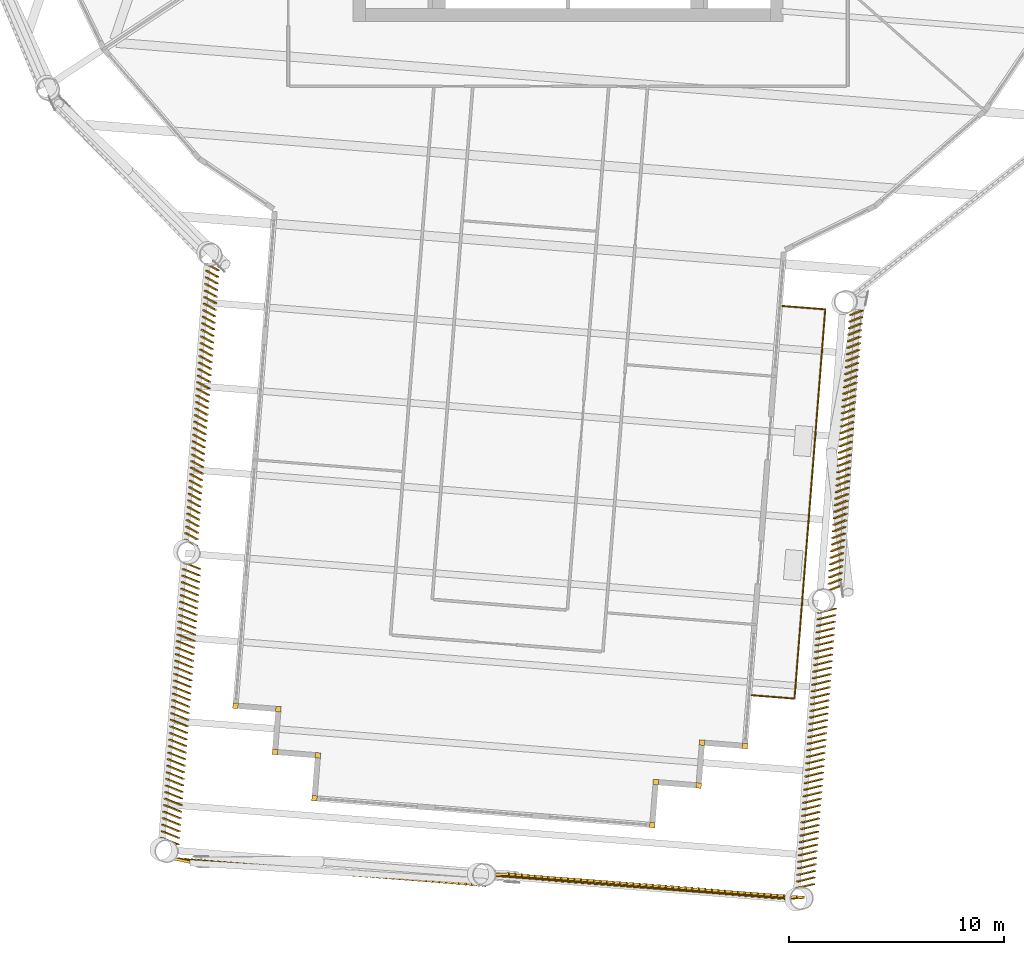
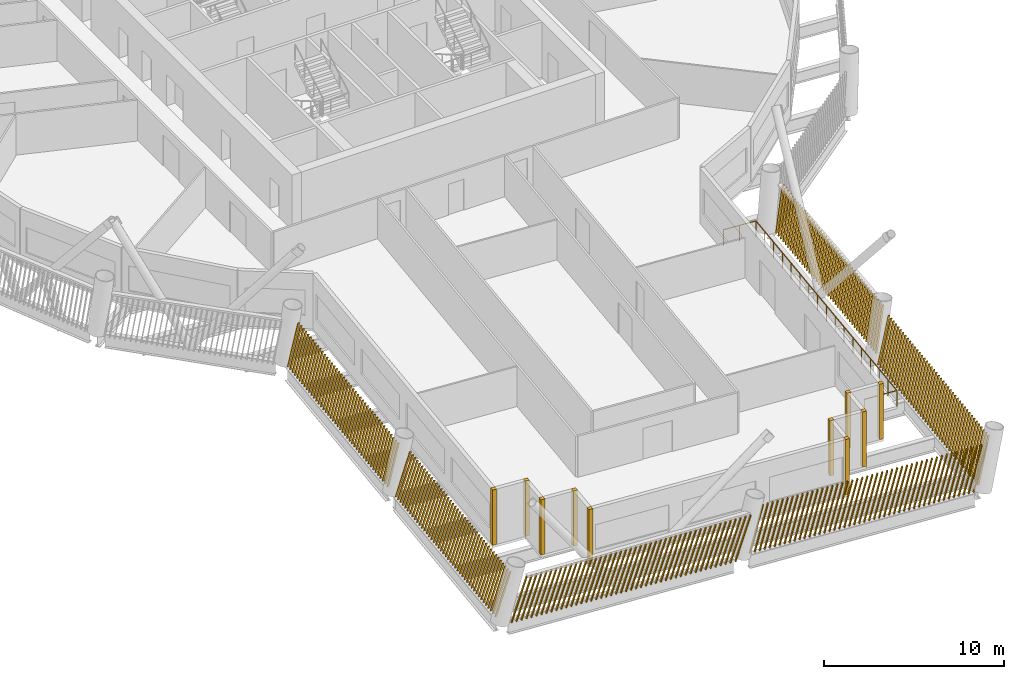
# One storey, part 17 of 21: 16 shading devices, 1 railing.
"""IFC4 building model written with IfcOpenShell, lengths in metres."""

from ifc_helpers import new_model, si_unit, direction, frame, frame_2d, origin, origin_2d, place, context, subcontext, project, spatial, rectangle, circle, composite_profile, extrude, material, type_object, element, save


model = new_model("IFC4")

# Units and contexts
model_context = context("Model", 3, precision=1e-05, world=origin(), true_north=direction((0.0, 1.0)))
body_context = subcontext(model_context, "Body", "Model", "MODEL_VIEW")
ifc_project = project(units=[si_unit("LENGTHUNIT", "METRE"), si_unit("AREAUNIT", "SQUARE_METRE"), si_unit("VOLUMEUNIT", "CUBIC_METRE"), si_unit("PLANEANGLEUNIT", "RADIAN"), si_unit("MASSUNIT", "GRAM", prefix="KILO")], contexts=[model_context])

# Site, building, storey
site_placement = place(None, origin())
site = spatial("IfcSite", under=ifc_project, at=site_placement, CompositionType="ELEMENT")
building_placement = place(site_placement, origin())
building = spatial("IfcBuilding", under=site, at=building_placement, Name="Tarsis Ring Headquarters", CompositionType="ELEMENT")
storey_placement = place(building_placement, frame((0.0, 0.0, 208.199951171875)))
storey = spatial("IfcBuildingStorey", under=building, at=storey_placement, Name="L48", CompositionType="ELEMENT", Elevation=208.199951171875)

# Railing
ifc_material_1 = material(Name="Stainless steel guard", Category="steel")
railing_type = type_object("IfcRailingType", Name="Balcony balustrade with mesh infill 1100", PredefinedType="BALUSTRADE", material=ifc_material_1)
railing_placement = place(storey_placement, frame((8.53466796875, -44.310302734375, 0.0)))
element("IfcRailing", 1, at=railing_placement, inside=storey, type_object=railing_type, Name="Balcony balustrade L48-16", PredefinedType="BALUSTRADE", context=body_context, shape_type="SweptSolid", body=[
    extrude(circle(Radius=0.030029296875, at=origin_2d()), frame((0.0, 0.0, 1.070068359375), z_axis=(0.996885533231, -0.078862117863, 0.0), x_axis=(0.078862117863, 0.996885533231, 0.0)), (0.0, 0.0, 1.0), 2.0),
    extrude(circle(Radius=0.030029296875, at=origin_2d()), frame((1.99365234375, -0.15771484375, 1.070068359375), z_axis=(0.078804847392, 0.996890062157, 0.0), x_axis=(-0.996890062157, 0.078804847392, 0.0)), (0.0, 0.0, 1.0), 18.1513671875),
    extrude(circle(Radius=0.030029296875, at=origin_2d()), frame((3.424072265625, 17.937255859375, 1.070068359375), z_axis=(-0.996895123254, 0.078740797759, 0.0), x_axis=(-0.078740797759, -0.996895123254, 0.0)), (0.0, 0.0, 1.0), 1.999755859375),
    extrude(circle(Radius=0.02490234375, at=origin_2d()), origin(), (0.0, 0.0, 1.0), 1.0400390625),
    extrude(circle(Radius=0.02490234375, at=origin_2d()), frame((0.996826171875, -0.078857421875, 0.0)), (0.0, 0.0, 1.0), 1.0400390625),
    extrude(circle(Radius=0.02490234375, at=origin_2d()), frame((1.99365234375, -0.15771484375, 0.0)), (0.0, 0.0, 1.0), 1.0400390625),
    extrude(circle(Radius=0.02490234375, at=origin_2d()), frame((2.0830078125, 0.97314453125, 0.0)), (0.0, 0.0, 1.0), 1.0400390625),
    extrude(circle(Radius=0.02490234375, at=origin_2d()), frame((2.17236328125, 2.104248046875, 0.0)), (0.0, 0.0, 1.0), 1.0400390625),
    extrude(circle(Radius=0.02490234375, at=origin_2d()), frame((2.261962890625, 3.235107421875, 0.0)), (0.0, 0.0, 1.0), 1.0400390625),
    extrude(circle(Radius=0.02490234375, at=origin_2d()), frame((2.351318359375, 4.365966796875, 0.0)), (0.0, 0.0, 1.0), 1.0400390625),
    extrude(circle(Radius=0.02490234375, at=origin_2d()), frame((2.440673828125, 5.4970703125, 0.0)), (0.0, 0.0, 1.0), 1.0400390625),
    extrude(circle(Radius=0.02490234375, at=origin_2d()), frame((2.530029296875, 6.6279296875, 0.0)), (0.0, 0.0, 1.0), 1.0400390625),
    extrude(circle(Radius=0.02490234375, at=origin_2d()), frame((2.619384765625, 7.7587890625, 0.0)), (0.0, 0.0, 1.0), 1.0400390625),
    extrude(circle(Radius=0.02490234375, at=origin_2d()), frame((2.708984375, 8.8896484375, 0.0)), (0.0, 0.0, 1.0), 1.0400390625),
    extrude(circle(Radius=0.02490234375, at=origin_2d()), frame((2.79833984375, 10.020751953125, 0.0)), (0.0, 0.0, 1.0), 1.0400390625),
    extrude(circle(Radius=0.02490234375, at=origin_2d()), frame((2.8876953125, 11.151611328125, 0.0)), (0.0, 0.0, 1.0), 1.0400390625),
    extrude(circle(Radius=0.02490234375, at=origin_2d()), frame((2.97705078125, 12.282470703125, 0.0)), (0.0, 0.0, 1.0), 1.0400390625),
    extrude(circle(Radius=0.02490234375, at=origin_2d()), frame((3.06640625, 13.41357421875, 0.0)), (0.0, 0.0, 1.0), 1.0400390625),
    extrude(circle(Radius=0.02490234375, at=origin_2d()), frame((3.15576171875, 14.54443359375, 0.0)), (0.0, 0.0, 1.0), 1.0400390625),
    extrude(circle(Radius=0.02490234375, at=origin_2d()), frame((3.245361328125, 15.67529296875, 0.0)), (0.0, 0.0, 1.0), 1.0400390625),
    extrude(circle(Radius=0.02490234375, at=origin_2d()), frame((3.334716796875, 16.806396484375, 0.0)), (0.0, 0.0, 1.0), 1.0400390625),
    extrude(circle(Radius=0.02490234375, at=origin_2d()), frame((3.424072265625, 17.937255859375, 0.0)), (0.0, 0.0, 1.0), 1.0400390625),
    extrude(circle(Radius=0.02490234375, at=origin_2d()), frame((2.42724609375, 18.01611328125, 0.0)), (0.0, 0.0, 1.0), 1.0400390625),
    extrude(circle(Radius=0.02490234375, at=origin_2d()), frame((1.430419921875, 18.0947265625, 0.0)), (0.0, 0.0, 1.0), 1.0400390625),
])

# Shading devices
ifc_material_2 = material(Name="Terracotta baguette", Category="masonry")
shading_device_type_1 = type_object("IfcShadingDeviceType", Name="Terracotta baguette screen", PredefinedType="USERDEFINED", material=ifc_material_2)
shading_device_1_placement = place(storey_placement, frame((-16.76318359375, -24.25, 0.0), z_axis=(0.0, 0.0, 1.0), x_axis=(-0.078812420762, -0.9968967018, 0.0)))
element("IfcShadingDevice", 2, at=shading_device_1_placement, inside=storey, type_object=shading_device_type_1, Name="Baguette screen L48-01", ObjectType="Terracotta baguette screen", PredefinedType="USERDEFINED", context=body_context, shape_type="SweptSolid", body=[
    extrude(composite_profile([rectangle(XDim=0.06005859375, YDim=0.1201171875, at=frame_2d((0.030029296875, 0.0))), rectangle(XDim=0.06005859375, YDim=0.1201171875, at=frame_2d((0.335693359375, 0.0))), rectangle(XDim=0.06005859375, YDim=0.1201171875, at=frame_2d((0.6416015625, 0.0))), rectangle(XDim=0.06005859375, YDim=0.1201171875, at=frame_2d((0.947265625, 0.0))), rectangle(XDim=0.06005859375, YDim=0.1201171875, at=frame_2d((1.253173828125, 0.0))), rectangle(XDim=0.06005859375, YDim=0.1201171875, at=frame_2d((1.558837890625, 0.0))), rectangle(XDim=0.06005859375, YDim=0.1201171875, at=frame_2d((1.864501953125, 0.0))), rectangle(XDim=0.06005859375, YDim=0.1201171875, at=frame_2d((2.17041015625, 0.0))), rectangle(XDim=0.06005859375, YDim=0.1201171875, at=frame_2d((2.47607421875, 0.0))), rectangle(XDim=0.06005859375, YDim=0.1201171875, at=frame_2d((2.781982421875, 0.0))), rectangle(XDim=0.06005859375, YDim=0.1201171875, at=frame_2d((3.087646484375, 0.0))), rectangle(XDim=0.06005859375, YDim=0.1201171875, at=frame_2d((3.393310546875, 0.0))), rectangle(XDim=0.06005859375, YDim=0.1201171875, at=frame_2d((3.69921875, 0.0))), rectangle(XDim=0.06005859375, YDim=0.1201171875, at=frame_2d((4.0048828125, 0.0))), rectangle(XDim=0.06005859375, YDim=0.1201171875, at=frame_2d((4.310791015625, 0.0))), rectangle(XDim=0.06005859375, YDim=0.1201171875, at=frame_2d((4.616455078125, 0.0))), rectangle(XDim=0.06005859375, YDim=0.1201171875, at=frame_2d((4.922119140625, 0.0))), rectangle(XDim=0.06005859375, YDim=0.1201171875, at=frame_2d((5.22802734375, 0.0))), rectangle(XDim=0.06005859375, YDim=0.1201171875, at=frame_2d((5.53369140625, 0.0))), rectangle(XDim=0.06005859375, YDim=0.1201171875, at=frame_2d((5.839599609375, 0.0))), rectangle(XDim=0.06005859375, YDim=0.1201171875, at=frame_2d((6.145263671875, 0.0))), rectangle(XDim=0.06005859375, YDim=0.1201171875, at=frame_2d((6.451171875, 0.0))), rectangle(XDim=0.06005859375, YDim=0.1201171875, at=frame_2d((6.7568359375, 0.0))), rectangle(XDim=0.06005859375, YDim=0.1201171875, at=frame_2d((7.0625, 0.0))), rectangle(XDim=0.06005859375, YDim=0.1201171875, at=frame_2d((7.368408203125, 0.0))), rectangle(XDim=0.06005859375, YDim=0.1201171875, at=frame_2d((7.674072265625, 0.0))), rectangle(XDim=0.06005859375, YDim=0.1201171875, at=frame_2d((7.97998046875, 0.0))), rectangle(XDim=0.06005859375, YDim=0.1201171875, at=frame_2d((8.28564453125, 0.0))), rectangle(XDim=0.06005859375, YDim=0.1201171875, at=frame_2d((8.59130859375, 0.0))), rectangle(XDim=0.06005859375, YDim=0.1201171875, at=frame_2d((8.897216796875, 0.0))), rectangle(XDim=0.06005859375, YDim=0.1201171875, at=frame_2d((9.202880859375, 0.0))), rectangle(XDim=0.06005859375, YDim=0.1201171875, at=frame_2d((9.5087890625, 0.0))), rectangle(XDim=0.06005859375, YDim=0.1201171875, at=frame_2d((9.814453125, 0.0))), rectangle(XDim=0.06005859375, YDim=0.1201171875, at=frame_2d((10.1201171875, 0.0))), rectangle(XDim=0.06005859375, YDim=0.1201171875, at=frame_2d((10.426025390625, 0.0))), rectangle(XDim=0.06005859375, YDim=0.1201171875, at=frame_2d((10.731689453125, 0.0))), rectangle(XDim=0.06005859375, YDim=0.1201171875, at=frame_2d((11.03759765625, 0.0))), rectangle(XDim=0.06005859375, YDim=0.1201171875, at=frame_2d((11.34326171875, 0.0))), rectangle(XDim=0.06005859375, YDim=0.1201171875, at=frame_2d((11.64892578125, 0.0))), rectangle(XDim=0.06005859375, YDim=0.1201171875, at=frame_2d((11.954833984375, 0.0))), rectangle(XDim=0.06005859375, YDim=0.1201171875, at=frame_2d((12.260498046875, 0.0))), rectangle(XDim=0.06005859375, YDim=0.1201171875, at=frame_2d((12.56640625, 0.0))), rectangle(XDim=0.06005859375, YDim=0.1201171875, at=frame_2d((12.8720703125, 0.0)))]), origin(), (0.080934383149, 0.178611794006, 0.980585260274), 3.00830078125),
])
shading_device_2_placement = place(storey_placement, frame((-17.85888671875, -38.10888671875, 0.0), z_axis=(0.0, 0.0, 1.0), x_axis=(-0.078793498212, -0.9968967018, 0.0)))
element("IfcShadingDevice", 3, at=shading_device_2_placement, inside=storey, type_object=shading_device_type_1, Name="Baguette screen L48-02", ObjectType="Terracotta baguette screen", PredefinedType="USERDEFINED", context=body_context, shape_type="SweptSolid", body=[
    extrude(composite_profile([rectangle(XDim=0.06005859375, YDim=0.1201171875, at=frame_2d((0.030029296875, 0.0))), rectangle(XDim=0.06005859375, YDim=0.1201171875, at=frame_2d((0.335693359375, 0.0))), rectangle(XDim=0.06005859375, YDim=0.1201171875, at=frame_2d((0.6416015625, 0.0))), rectangle(XDim=0.06005859375, YDim=0.1201171875, at=frame_2d((0.947265625, 0.0))), rectangle(XDim=0.06005859375, YDim=0.1201171875, at=frame_2d((1.253173828125, 0.0))), rectangle(XDim=0.06005859375, YDim=0.1201171875, at=frame_2d((1.558837890625, 0.0))), rectangle(XDim=0.06005859375, YDim=0.1201171875, at=frame_2d((1.864501953125, 0.0))), rectangle(XDim=0.06005859375, YDim=0.1201171875, at=frame_2d((2.17041015625, 0.0))), rectangle(XDim=0.06005859375, YDim=0.1201171875, at=frame_2d((2.47607421875, 0.0))), rectangle(XDim=0.06005859375, YDim=0.1201171875, at=frame_2d((2.781982421875, 0.0))), rectangle(XDim=0.06005859375, YDim=0.1201171875, at=frame_2d((3.087646484375, 0.0))), rectangle(XDim=0.06005859375, YDim=0.1201171875, at=frame_2d((3.393310546875, 0.0))), rectangle(XDim=0.06005859375, YDim=0.1201171875, at=frame_2d((3.69921875, 0.0))), rectangle(XDim=0.06005859375, YDim=0.1201171875, at=frame_2d((4.0048828125, 0.0))), rectangle(XDim=0.06005859375, YDim=0.1201171875, at=frame_2d((4.310791015625, 0.0))), rectangle(XDim=0.06005859375, YDim=0.1201171875, at=frame_2d((4.616455078125, 0.0))), rectangle(XDim=0.06005859375, YDim=0.1201171875, at=frame_2d((4.922119140625, 0.0))), rectangle(XDim=0.06005859375, YDim=0.1201171875, at=frame_2d((5.22802734375, 0.0))), rectangle(XDim=0.06005859375, YDim=0.1201171875, at=frame_2d((5.53369140625, 0.0))), rectangle(XDim=0.06005859375, YDim=0.1201171875, at=frame_2d((5.839599609375, 0.0))), rectangle(XDim=0.06005859375, YDim=0.1201171875, at=frame_2d((6.145263671875, 0.0))), rectangle(XDim=0.06005859375, YDim=0.1201171875, at=frame_2d((6.451171875, 0.0))), rectangle(XDim=0.06005859375, YDim=0.1201171875, at=frame_2d((6.7568359375, 0.0))), rectangle(XDim=0.06005859375, YDim=0.1201171875, at=frame_2d((7.0625, 0.0))), rectangle(XDim=0.06005859375, YDim=0.1201171875, at=frame_2d((7.368408203125, 0.0))), rectangle(XDim=0.06005859375, YDim=0.1201171875, at=frame_2d((7.674072265625, 0.0))), rectangle(XDim=0.06005859375, YDim=0.1201171875, at=frame_2d((7.97998046875, 0.0))), rectangle(XDim=0.06005859375, YDim=0.1201171875, at=frame_2d((8.28564453125, 0.0))), rectangle(XDim=0.06005859375, YDim=0.1201171875, at=frame_2d((8.59130859375, 0.0))), rectangle(XDim=0.06005859375, YDim=0.1201171875, at=frame_2d((8.897216796875, 0.0))), rectangle(XDim=0.06005859375, YDim=0.1201171875, at=frame_2d((9.202880859375, 0.0))), rectangle(XDim=0.06005859375, YDim=0.1201171875, at=frame_2d((9.5087890625, 0.0))), rectangle(XDim=0.06005859375, YDim=0.1201171875, at=frame_2d((9.814453125, 0.0))), rectangle(XDim=0.06005859375, YDim=0.1201171875, at=frame_2d((10.1201171875, 0.0))), rectangle(XDim=0.06005859375, YDim=0.1201171875, at=frame_2d((10.426025390625, 0.0))), rectangle(XDim=0.06005859375, YDim=0.1201171875, at=frame_2d((10.731689453125, 0.0))), rectangle(XDim=0.06005859375, YDim=0.1201171875, at=frame_2d((11.03759765625, 0.0))), rectangle(XDim=0.06005859375, YDim=0.1201171875, at=frame_2d((11.34326171875, 0.0))), rectangle(XDim=0.06005859375, YDim=0.1201171875, at=frame_2d((11.64892578125, 0.0))), rectangle(XDim=0.06005859375, YDim=0.1201171875, at=frame_2d((11.954833984375, 0.0))), rectangle(XDim=0.06005859375, YDim=0.1201171875, at=frame_2d((12.260498046875, 0.0))), rectangle(XDim=0.06005859375, YDim=0.1201171875, at=frame_2d((12.56640625, 0.0))), rectangle(XDim=0.06005859375, YDim=0.1201171875, at=frame_2d((12.8720703125, 0.0)))]), origin(), (0.078976321966, 0.251846305506, 0.964539361028), 3.058349609375),
])
shading_device_3_placement = place(storey_placement, frame((-18.446044921875, -51.882568359375, 0.0), z_axis=(0.0, 0.0, 1.0), x_axis=(0.996886333481, -0.078814683768, 0.0)))
element("IfcShadingDevice", 4, at=shading_device_3_placement, inside=storey, type_object=shading_device_type_1, Name="Baguette screen L48-03", ObjectType="Terracotta baguette screen", PredefinedType="USERDEFINED", context=body_context, shape_type="SweptSolid", body=[
    extrude(composite_profile([rectangle(XDim=0.06005859375, YDim=0.1201171875, at=frame_2d((0.030029296875, 0.0))), rectangle(XDim=0.06005859375, YDim=0.1201171875, at=frame_2d((0.33544921875, 0.0))), rectangle(XDim=0.06005859375, YDim=0.1201171875, at=frame_2d((0.640625, 0.0))), rectangle(XDim=0.06005859375, YDim=0.1201171875, at=frame_2d((0.946044921875, 0.0))), rectangle(XDim=0.06005859375, YDim=0.1201171875, at=frame_2d((1.25146484375, 0.0))), rectangle(XDim=0.06005859375, YDim=0.1201171875, at=frame_2d((1.556640625, 0.0))), rectangle(XDim=0.06005859375, YDim=0.1201171875, at=frame_2d((1.862060546875, 0.0))), rectangle(XDim=0.06005859375, YDim=0.1201171875, at=frame_2d((2.16748046875, 0.0))), rectangle(XDim=0.06005859375, YDim=0.1201171875, at=frame_2d((2.47265625, 0.0))), rectangle(XDim=0.06005859375, YDim=0.1201171875, at=frame_2d((2.778076171875, 0.0))), rectangle(XDim=0.06005859375, YDim=0.1201171875, at=frame_2d((3.08349609375, 0.0))), rectangle(XDim=0.06005859375, YDim=0.1201171875, at=frame_2d((3.388671875, 0.0))), rectangle(XDim=0.06005859375, YDim=0.1201171875, at=frame_2d((3.694091796875, 0.0))), rectangle(XDim=0.06005859375, YDim=0.1201171875, at=frame_2d((3.99951171875, 0.0))), rectangle(XDim=0.06005859375, YDim=0.1201171875, at=frame_2d((4.3046875, 0.0))), rectangle(XDim=0.06005859375, YDim=0.1201171875, at=frame_2d((4.610107421875, 0.0))), rectangle(XDim=0.06005859375, YDim=0.1201171875, at=frame_2d((4.91552734375, 0.0))), rectangle(XDim=0.06005859375, YDim=0.1201171875, at=frame_2d((5.220703125, 0.0))), rectangle(XDim=0.06005859375, YDim=0.1201171875, at=frame_2d((5.526123046875, 0.0))), rectangle(XDim=0.06005859375, YDim=0.1201171875, at=frame_2d((5.83154296875, 0.0))), rectangle(XDim=0.06005859375, YDim=0.1201171875, at=frame_2d((6.13671875, 0.0))), rectangle(XDim=0.06005859375, YDim=0.1201171875, at=frame_2d((6.442138671875, 0.0))), rectangle(XDim=0.06005859375, YDim=0.1201171875, at=frame_2d((6.74755859375, 0.0))), rectangle(XDim=0.06005859375, YDim=0.1201171875, at=frame_2d((7.052734375, 0.0))), rectangle(XDim=0.06005859375, YDim=0.1201171875, at=frame_2d((7.358154296875, 0.0))), rectangle(XDim=0.06005859375, YDim=0.1201171875, at=frame_2d((7.66357421875, 0.0))), rectangle(XDim=0.06005859375, YDim=0.1201171875, at=frame_2d((7.96875, 0.0))), rectangle(XDim=0.06005859375, YDim=0.1201171875, at=frame_2d((8.274169921875, 0.0))), rectangle(XDim=0.06005859375, YDim=0.1201171875, at=frame_2d((8.57958984375, 0.0))), rectangle(XDim=0.06005859375, YDim=0.1201171875, at=frame_2d((8.884765625, 0.0))), rectangle(XDim=0.06005859375, YDim=0.1201171875, at=frame_2d((9.190185546875, 0.0))), rectangle(XDim=0.06005859375, YDim=0.1201171875, at=frame_2d((9.49560546875, 0.0))), rectangle(XDim=0.06005859375, YDim=0.1201171875, at=frame_2d((9.80078125, 0.0))), rectangle(XDim=0.06005859375, YDim=0.1201171875, at=frame_2d((10.106201171875, 0.0))), rectangle(XDim=0.06005859375, YDim=0.1201171875, at=frame_2d((10.41162109375, 0.0))), rectangle(XDim=0.06005859375, YDim=0.1201171875, at=frame_2d((10.716796875, 0.0))), rectangle(XDim=0.06005859375, YDim=0.1201171875, at=frame_2d((11.022216796875, 0.0))), rectangle(XDim=0.06005859375, YDim=0.1201171875, at=frame_2d((11.32763671875, 0.0))), rectangle(XDim=0.06005859375, YDim=0.1201171875, at=frame_2d((11.6328125, 0.0))), rectangle(XDim=0.06005859375, YDim=0.1201171875, at=frame_2d((11.938232421875, 0.0))), rectangle(XDim=0.06005859375, YDim=0.1201171875, at=frame_2d((12.24365234375, 0.0))), rectangle(XDim=0.06005859375, YDim=0.1201171875, at=frame_2d((12.548828125, 0.0))), rectangle(XDim=0.06005859375, YDim=0.1201171875, at=frame_2d((12.854248046875, 0.0))), rectangle(XDim=0.06005859375, YDim=0.1201171875, at=frame_2d((13.15966796875, 0.0))), rectangle(XDim=0.06005859375, YDim=0.1201171875, at=frame_2d((13.46484375, 0.0))), rectangle(XDim=0.06005859375, YDim=0.1201171875, at=frame_2d((13.770263671875, 0.0)))]), origin(), (0.289214147999, -0.037778526745, 0.956518666579), 3.083984375),
])
shading_device_4_placement = place(storey_placement, frame((-3.66259765625, -52.67529296875, 0.0), z_axis=(0.0, 0.0, 1.0), x_axis=(0.996886333481, -0.078796992481, 0.0)))
element("IfcShadingDevice", 5, at=shading_device_4_placement, inside=storey, type_object=shading_device_type_1, Name="Baguette screen L48-04", ObjectType="Terracotta baguette screen", PredefinedType="USERDEFINED", context=body_context, shape_type="SweptSolid", body=[
    extrude(composite_profile([rectangle(XDim=0.06005859375, YDim=0.1201171875, at=frame_2d((0.030029296875, 0.0))), rectangle(XDim=0.06005859375, YDim=0.1201171875, at=frame_2d((0.33544921875, 0.0))), rectangle(XDim=0.06005859375, YDim=0.1201171875, at=frame_2d((0.640625, 0.0))), rectangle(XDim=0.06005859375, YDim=0.1201171875, at=frame_2d((0.946044921875, 0.0))), rectangle(XDim=0.06005859375, YDim=0.1201171875, at=frame_2d((1.25146484375, 0.0))), rectangle(XDim=0.06005859375, YDim=0.1201171875, at=frame_2d((1.556640625, 0.0))), rectangle(XDim=0.06005859375, YDim=0.1201171875, at=frame_2d((1.862060546875, 0.0))), rectangle(XDim=0.06005859375, YDim=0.1201171875, at=frame_2d((2.16748046875, 0.0))), rectangle(XDim=0.06005859375, YDim=0.1201171875, at=frame_2d((2.47265625, 0.0))), rectangle(XDim=0.06005859375, YDim=0.1201171875, at=frame_2d((2.778076171875, 0.0))), rectangle(XDim=0.06005859375, YDim=0.1201171875, at=frame_2d((3.08349609375, 0.0))), rectangle(XDim=0.06005859375, YDim=0.1201171875, at=frame_2d((3.388671875, 0.0))), rectangle(XDim=0.06005859375, YDim=0.1201171875, at=frame_2d((3.694091796875, 0.0))), rectangle(XDim=0.06005859375, YDim=0.1201171875, at=frame_2d((3.99951171875, 0.0))), rectangle(XDim=0.06005859375, YDim=0.1201171875, at=frame_2d((4.3046875, 0.0))), rectangle(XDim=0.06005859375, YDim=0.1201171875, at=frame_2d((4.610107421875, 0.0))), rectangle(XDim=0.06005859375, YDim=0.1201171875, at=frame_2d((4.91552734375, 0.0))), rectangle(XDim=0.06005859375, YDim=0.1201171875, at=frame_2d((5.220703125, 0.0))), rectangle(XDim=0.06005859375, YDim=0.1201171875, at=frame_2d((5.526123046875, 0.0))), rectangle(XDim=0.06005859375, YDim=0.1201171875, at=frame_2d((5.83154296875, 0.0))), rectangle(XDim=0.06005859375, YDim=0.1201171875, at=frame_2d((6.13671875, 0.0))), rectangle(XDim=0.06005859375, YDim=0.1201171875, at=frame_2d((6.442138671875, 0.0))), rectangle(XDim=0.06005859375, YDim=0.1201171875, at=frame_2d((6.74755859375, 0.0))), rectangle(XDim=0.06005859375, YDim=0.1201171875, at=frame_2d((7.052734375, 0.0))), rectangle(XDim=0.06005859375, YDim=0.1201171875, at=frame_2d((7.358154296875, 0.0))), rectangle(XDim=0.06005859375, YDim=0.1201171875, at=frame_2d((7.66357421875, 0.0))), rectangle(XDim=0.06005859375, YDim=0.1201171875, at=frame_2d((7.96875, 0.0))), rectangle(XDim=0.06005859375, YDim=0.1201171875, at=frame_2d((8.274169921875, 0.0))), rectangle(XDim=0.06005859375, YDim=0.1201171875, at=frame_2d((8.57958984375, 0.0))), rectangle(XDim=0.06005859375, YDim=0.1201171875, at=frame_2d((8.884765625, 0.0))), rectangle(XDim=0.06005859375, YDim=0.1201171875, at=frame_2d((9.190185546875, 0.0))), rectangle(XDim=0.06005859375, YDim=0.1201171875, at=frame_2d((9.49560546875, 0.0))), rectangle(XDim=0.06005859375, YDim=0.1201171875, at=frame_2d((9.80078125, 0.0))), rectangle(XDim=0.06005859375, YDim=0.1201171875, at=frame_2d((10.106201171875, 0.0))), rectangle(XDim=0.06005859375, YDim=0.1201171875, at=frame_2d((10.41162109375, 0.0))), rectangle(XDim=0.06005859375, YDim=0.1201171875, at=frame_2d((10.716796875, 0.0))), rectangle(XDim=0.06005859375, YDim=0.1201171875, at=frame_2d((11.022216796875, 0.0))), rectangle(XDim=0.06005859375, YDim=0.1201171875, at=frame_2d((11.32763671875, 0.0))), rectangle(XDim=0.06005859375, YDim=0.1201171875, at=frame_2d((11.6328125, 0.0))), rectangle(XDim=0.06005859375, YDim=0.1201171875, at=frame_2d((11.938232421875, 0.0))), rectangle(XDim=0.06005859375, YDim=0.1201171875, at=frame_2d((12.24365234375, 0.0))), rectangle(XDim=0.06005859375, YDim=0.1201171875, at=frame_2d((12.548828125, 0.0))), rectangle(XDim=0.06005859375, YDim=0.1201171875, at=frame_2d((12.854248046875, 0.0))), rectangle(XDim=0.06005859375, YDim=0.1201171875, at=frame_2d((13.15966796875, 0.0))), rectangle(XDim=0.06005859375, YDim=0.1201171875, at=frame_2d((13.46484375, 0.0))), rectangle(XDim=0.06005859375, YDim=0.1201171875, at=frame_2d((13.770263671875, 0.0)))]), origin(), (0.286671577744, 0.042626410886, 0.957080140641), 3.082275390625),
])
shading_device_5_placement = place(storey_placement, frame((10.63232421875, -53.3037109375, 0.0), z_axis=(0.0, 0.0, 1.0), x_axis=(0.078812420762, 0.9968967018, 0.0)))
element("IfcShadingDevice", 6, at=shading_device_5_placement, inside=storey, type_object=shading_device_type_1, Name="Baguette screen L48-05", ObjectType="Terracotta baguette screen", PredefinedType="USERDEFINED", context=body_context, shape_type="SweptSolid", body=[
    extrude(composite_profile([rectangle(XDim=0.06005859375, YDim=0.1201171875, at=frame_2d((0.030029296875, 0.0))), rectangle(XDim=0.06005859375, YDim=0.1201171875, at=frame_2d((0.335693359375, 0.0))), rectangle(XDim=0.06005859375, YDim=0.1201171875, at=frame_2d((0.6416015625, 0.0))), rectangle(XDim=0.06005859375, YDim=0.1201171875, at=frame_2d((0.947265625, 0.0))), rectangle(XDim=0.06005859375, YDim=0.1201171875, at=frame_2d((1.253173828125, 0.0))), rectangle(XDim=0.06005859375, YDim=0.1201171875, at=frame_2d((1.558837890625, 0.0))), rectangle(XDim=0.06005859375, YDim=0.1201171875, at=frame_2d((1.864501953125, 0.0))), rectangle(XDim=0.06005859375, YDim=0.1201171875, at=frame_2d((2.17041015625, 0.0))), rectangle(XDim=0.06005859375, YDim=0.1201171875, at=frame_2d((2.47607421875, 0.0))), rectangle(XDim=0.06005859375, YDim=0.1201171875, at=frame_2d((2.781982421875, 0.0))), rectangle(XDim=0.06005859375, YDim=0.1201171875, at=frame_2d((3.087646484375, 0.0))), rectangle(XDim=0.06005859375, YDim=0.1201171875, at=frame_2d((3.393310546875, 0.0))), rectangle(XDim=0.06005859375, YDim=0.1201171875, at=frame_2d((3.69921875, 0.0))), rectangle(XDim=0.06005859375, YDim=0.1201171875, at=frame_2d((4.0048828125, 0.0))), rectangle(XDim=0.06005859375, YDim=0.1201171875, at=frame_2d((4.310791015625, 0.0))), rectangle(XDim=0.06005859375, YDim=0.1201171875, at=frame_2d((4.616455078125, 0.0))), rectangle(XDim=0.06005859375, YDim=0.1201171875, at=frame_2d((4.922119140625, 0.0))), rectangle(XDim=0.06005859375, YDim=0.1201171875, at=frame_2d((5.22802734375, 0.0))), rectangle(XDim=0.06005859375, YDim=0.1201171875, at=frame_2d((5.53369140625, 0.0))), rectangle(XDim=0.06005859375, YDim=0.1201171875, at=frame_2d((5.839599609375, 0.0))), rectangle(XDim=0.06005859375, YDim=0.1201171875, at=frame_2d((6.145263671875, 0.0))), rectangle(XDim=0.06005859375, YDim=0.1201171875, at=frame_2d((6.451171875, 0.0))), rectangle(XDim=0.06005859375, YDim=0.1201171875, at=frame_2d((6.7568359375, 0.0))), rectangle(XDim=0.06005859375, YDim=0.1201171875, at=frame_2d((7.0625, 0.0))), rectangle(XDim=0.06005859375, YDim=0.1201171875, at=frame_2d((7.368408203125, 0.0))), rectangle(XDim=0.06005859375, YDim=0.1201171875, at=frame_2d((7.674072265625, 0.0))), rectangle(XDim=0.06005859375, YDim=0.1201171875, at=frame_2d((7.97998046875, 0.0))), rectangle(XDim=0.06005859375, YDim=0.1201171875, at=frame_2d((8.28564453125, 0.0))), rectangle(XDim=0.06005859375, YDim=0.1201171875, at=frame_2d((8.59130859375, 0.0))), rectangle(XDim=0.06005859375, YDim=0.1201171875, at=frame_2d((8.897216796875, 0.0))), rectangle(XDim=0.06005859375, YDim=0.1201171875, at=frame_2d((9.202880859375, 0.0))), rectangle(XDim=0.06005859375, YDim=0.1201171875, at=frame_2d((9.5087890625, 0.0))), rectangle(XDim=0.06005859375, YDim=0.1201171875, at=frame_2d((9.814453125, 0.0))), rectangle(XDim=0.06005859375, YDim=0.1201171875, at=frame_2d((10.1201171875, 0.0))), rectangle(XDim=0.06005859375, YDim=0.1201171875, at=frame_2d((10.426025390625, 0.0))), rectangle(XDim=0.06005859375, YDim=0.1201171875, at=frame_2d((10.731689453125, 0.0))), rectangle(XDim=0.06005859375, YDim=0.1201171875, at=frame_2d((11.03759765625, 0.0))), rectangle(XDim=0.06005859375, YDim=0.1201171875, at=frame_2d((11.34326171875, 0.0))), rectangle(XDim=0.06005859375, YDim=0.1201171875, at=frame_2d((11.64892578125, 0.0))), rectangle(XDim=0.06005859375, YDim=0.1201171875, at=frame_2d((11.954833984375, 0.0))), rectangle(XDim=0.06005859375, YDim=0.1201171875, at=frame_2d((12.260498046875, 0.0))), rectangle(XDim=0.06005859375, YDim=0.1201171875, at=frame_2d((12.56640625, 0.0))), rectangle(XDim=0.06005859375, YDim=0.1201171875, at=frame_2d((12.8720703125, 0.0)))]), origin(), (0.083182670567, -0.250489201616, 0.96453916623), 3.058349609375),
])
shading_device_6_placement = place(storey_placement, frame((12.101806640625, -39.47412109375, 0.0), z_axis=(0.0, 0.0, 1.0), x_axis=(0.078812420762, 0.9968967018, 0.0)))
element("IfcShadingDevice", 7, at=shading_device_6_placement, inside=storey, type_object=shading_device_type_1, Name="Baguette screen L48-06", ObjectType="Terracotta baguette screen", PredefinedType="USERDEFINED", context=body_context, shape_type="SweptSolid", body=[
    extrude(composite_profile([rectangle(XDim=0.06005859375, YDim=0.1201171875, at=frame_2d((0.030029296875, 0.0))), rectangle(XDim=0.06005859375, YDim=0.1201171875, at=frame_2d((0.335693359375, 0.0))), rectangle(XDim=0.06005859375, YDim=0.1201171875, at=frame_2d((0.6416015625, 0.0))), rectangle(XDim=0.06005859375, YDim=0.1201171875, at=frame_2d((0.947265625, 0.0))), rectangle(XDim=0.06005859375, YDim=0.1201171875, at=frame_2d((1.253173828125, 0.0))), rectangle(XDim=0.06005859375, YDim=0.1201171875, at=frame_2d((1.558837890625, 0.0))), rectangle(XDim=0.06005859375, YDim=0.1201171875, at=frame_2d((1.864501953125, 0.0))), rectangle(XDim=0.06005859375, YDim=0.1201171875, at=frame_2d((2.17041015625, 0.0))), rectangle(XDim=0.06005859375, YDim=0.1201171875, at=frame_2d((2.47607421875, 0.0))), rectangle(XDim=0.06005859375, YDim=0.1201171875, at=frame_2d((2.781982421875, 0.0))), rectangle(XDim=0.06005859375, YDim=0.1201171875, at=frame_2d((3.087646484375, 0.0))), rectangle(XDim=0.06005859375, YDim=0.1201171875, at=frame_2d((3.393310546875, 0.0))), rectangle(XDim=0.06005859375, YDim=0.1201171875, at=frame_2d((3.69921875, 0.0))), rectangle(XDim=0.06005859375, YDim=0.1201171875, at=frame_2d((4.0048828125, 0.0))), rectangle(XDim=0.06005859375, YDim=0.1201171875, at=frame_2d((4.310791015625, 0.0))), rectangle(XDim=0.06005859375, YDim=0.1201171875, at=frame_2d((4.616455078125, 0.0))), rectangle(XDim=0.06005859375, YDim=0.1201171875, at=frame_2d((4.922119140625, 0.0))), rectangle(XDim=0.06005859375, YDim=0.1201171875, at=frame_2d((5.22802734375, 0.0))), rectangle(XDim=0.06005859375, YDim=0.1201171875, at=frame_2d((5.53369140625, 0.0))), rectangle(XDim=0.06005859375, YDim=0.1201171875, at=frame_2d((5.839599609375, 0.0))), rectangle(XDim=0.06005859375, YDim=0.1201171875, at=frame_2d((6.145263671875, 0.0))), rectangle(XDim=0.06005859375, YDim=0.1201171875, at=frame_2d((6.451171875, 0.0))), rectangle(XDim=0.06005859375, YDim=0.1201171875, at=frame_2d((6.7568359375, 0.0))), rectangle(XDim=0.06005859375, YDim=0.1201171875, at=frame_2d((7.0625, 0.0))), rectangle(XDim=0.06005859375, YDim=0.1201171875, at=frame_2d((7.368408203125, 0.0))), rectangle(XDim=0.06005859375, YDim=0.1201171875, at=frame_2d((7.674072265625, 0.0))), rectangle(XDim=0.06005859375, YDim=0.1201171875, at=frame_2d((7.97998046875, 0.0))), rectangle(XDim=0.06005859375, YDim=0.1201171875, at=frame_2d((8.28564453125, 0.0))), rectangle(XDim=0.06005859375, YDim=0.1201171875, at=frame_2d((8.59130859375, 0.0))), rectangle(XDim=0.06005859375, YDim=0.1201171875, at=frame_2d((8.897216796875, 0.0))), rectangle(XDim=0.06005859375, YDim=0.1201171875, at=frame_2d((9.202880859375, 0.0))), rectangle(XDim=0.06005859375, YDim=0.1201171875, at=frame_2d((9.5087890625, 0.0))), rectangle(XDim=0.06005859375, YDim=0.1201171875, at=frame_2d((9.814453125, 0.0))), rectangle(XDim=0.06005859375, YDim=0.1201171875, at=frame_2d((10.1201171875, 0.0))), rectangle(XDim=0.06005859375, YDim=0.1201171875, at=frame_2d((10.426025390625, 0.0))), rectangle(XDim=0.06005859375, YDim=0.1201171875, at=frame_2d((10.731689453125, 0.0))), rectangle(XDim=0.06005859375, YDim=0.1201171875, at=frame_2d((11.03759765625, 0.0))), rectangle(XDim=0.06005859375, YDim=0.1201171875, at=frame_2d((11.34326171875, 0.0))), rectangle(XDim=0.06005859375, YDim=0.1201171875, at=frame_2d((11.64892578125, 0.0))), rectangle(XDim=0.06005859375, YDim=0.1201171875, at=frame_2d((11.954833984375, 0.0))), rectangle(XDim=0.06005859375, YDim=0.1201171875, at=frame_2d((12.260498046875, 0.0))), rectangle(XDim=0.06005859375, YDim=0.1201171875, at=frame_2d((12.56640625, 0.0))), rectangle(XDim=0.06005859375, YDim=0.1201171875, at=frame_2d((12.8720703125, 0.0)))]), origin(), (0.085990881198, -0.177181661422, 0.980414314056), 3.0087890625),
])
shading_device_type_2 = type_object("IfcShadingDeviceType", Name="Terracotta corner baguette 250x250", PredefinedType="USERDEFINED", material=ifc_material_2)
for number, where, z_axis, x_axis, name in (
    (8, (-15.453369140625, -44.79638671875, 0.0), (0.0, 0.0, 1.0), (-0.078807063339, -0.996889886982, 0.0), "Corner baguette L48-07"),
    (9, (-13.45947265625, -44.9541015625, 0.0), (0.0, 0.0, 1.0), (0.996889892484, -0.078806993743, 0.0), "Corner baguette L48-08"),
    (10, (-13.6171875, -46.947998046875, 0.0), (0.0, 0.0, 1.0), (-0.078807533112, -0.996889849845, 0.0), "Corner baguette L48-09"),
    (11, (-11.623291015625, -47.10546875, 0.0), (0.0, 0.0, 1.0), (0.996889853972, -0.078807480915, 0.0), "Corner baguette L48-10"),
    (12, (-11.781005859375, -49.099365234375, 0.0), (0.0, 0.0, 1.0), (-0.078806993743, -0.996889892484, 0.0), "Corner baguette L48-11"),
    (13, (3.919921875, -50.340576171875, 0.0), (0.0, 0.0, 1.0), (0.996889886982, -0.078807063339, 0.0), "Corner baguette L48-12"),
    (14, (4.07763671875, -48.3466796875, 0.0), (0.0, 0.0, 1.0), (0.078806993743, 0.996889892484, 0.0), "Corner baguette L48-13"),
    (15, (6.0712890625, -48.50439453125, 0.0), (0.0, 0.0, 1.0), (0.996889892484, -0.078806993743, 0.0), "Corner baguette L48-14"),
    (16, (6.22900390625, -46.510498046875, 0.0), (0.0, 0.0, 1.0), (0.078806993743, 0.996889892484, 0.0), "Corner baguette L48-15"),
    (17, (8.222900390625, -46.668212890625, 0.0), (0.0, 0.0, 1.0), (0.996889892484, -0.078806993743, 0.0), "Corner baguette L48-16"),
):
    element("IfcShadingDevice", number, at=place(storey_placement, frame(where, z_axis=z_axis, x_axis=x_axis)), inside=storey, type_object=shading_device_type_2, Name=name, ObjectType="Terracotta corner baguette", PredefinedType="USERDEFINED", context=body_context, shape_type="SweptSolid", body=[
        extrude(rectangle(XDim=0.25, YDim=0.25, at=origin_2d()), origin(), (0.0, 0.0, 1.0), 3.739990234375),
    ])

save(model, "model.ifc")
